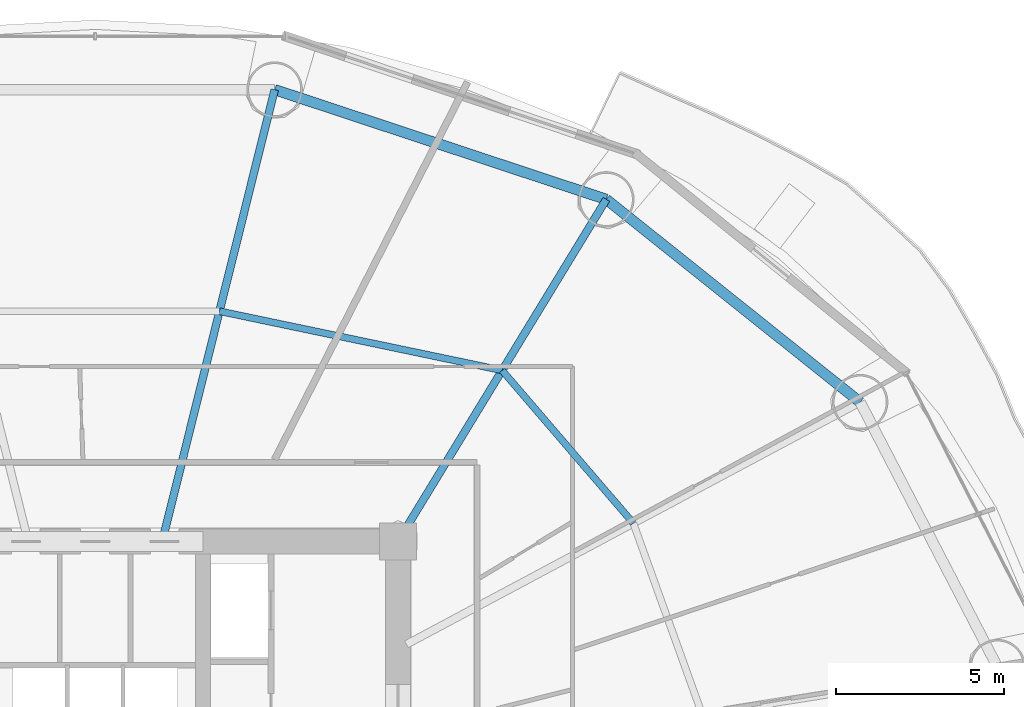
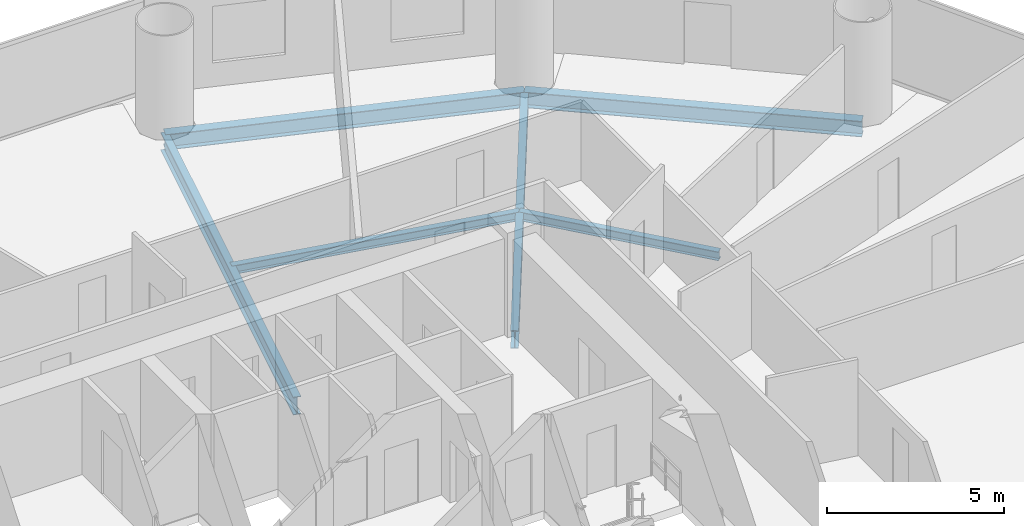
# One storey, part 18 of 29: 6 beams.
"""IFC4 building model written with IfcOpenShell, lengths in metres."""

from ifc_helpers import new_model, si_unit, direction, frame, origin, origin_2d, place, context, subcontext, project, spatial, i_section, extrude, material, material_profile, profile_set, type_object, element, save


model = new_model("IFC4")

# Units and contexts
model_context = context("Model", 3, precision=1e-05, world=origin(), true_north=direction((-0.2419218956, 0.970295726276)))
body_context = subcontext(model_context, "Body", "Model", "MODEL_VIEW")
ifc_project = project(units=[si_unit("LENGTHUNIT", "METRE"), si_unit("AREAUNIT", "SQUARE_METRE"), si_unit("VOLUMEUNIT", "CUBIC_METRE"), si_unit("PLANEANGLEUNIT", "RADIAN"), si_unit("MASSUNIT", "GRAM", prefix="KILO")], contexts=[model_context])

# Site, building, storey
site_placement = place(None, origin())
site = spatial("IfcSite", under=ifc_project, at=site_placement, CompositionType="ELEMENT")
building_placement = place(site_placement, origin())
building = spatial("IfcBuilding", under=site, at=building_placement, Name="Cobrevalo Terracotta Tower", CompositionType="ELEMENT")
storey_placement = place(building_placement, frame((0.0, 0.0, 52.800048828125)))
storey = spatial("IfcBuildingStorey", under=building, at=storey_placement, Name="L13", CompositionType="ELEMENT", Elevation=52.800048828125)

# Beams
ifc_material = material(Name="Steel S355", Category="steel")
ifc_material_profile_1 = material_profile(ifc_material, i_section(OverallWidth=0.22998046875, OverallDepth=0.616943359375, WebThickness=0.01318359375, FlangeThickness=0.022216796875, at=origin_2d()), Name="W 610x140")
ifc_profile_set_1 = profile_set([ifc_material_profile_1], Name="Steel S355")
beam_type_1 = type_object("IfcBeamType", Name="Structural Beam W 610x140 (Steel S355)", PredefinedType="BEAM", material=ifc_profile_set_1)
beam_1_placement = place(storey_placement, frame((53.19482421875, 44.967529296875, -0.588623046875), z_axis=(-0.520309892051, -0.853977526773, 0.0), x_axis=(0.853977526773, -0.520309892051, 0.0)))
element("IfcBeam", 1, at=beam_1_placement, inside=storey, type_object=beam_type_1, Name="L13 radial floor girder 03", PredefinedType="BEAM", context=body_context, shape_type="SweptSolid", body=[
    extrude(i_section(OverallWidth=0.22998046875, OverallDepth=0.616943359375, WebThickness=0.01318359375, FlangeThickness=0.022216796875, at=origin_2d()), origin(), (0.0, 0.0, 1.0), 11.906005859375),
])
beam_2_placement = place(storey_placement, frame((43.335693359375, 48.230224609375, -0.588623046875), z_axis=(-0.241596254786, -0.970376859614, 0.0), x_axis=(0.970376859614, -0.241596254786, 0.0)))
element("IfcBeam", 2, at=beam_2_placement, inside=storey, type_object=beam_type_1, Name="L13 radial floor girder 04", PredefinedType="BEAM", context=body_context, shape_type="SweptSolid", body=[
    extrude(i_section(OverallWidth=0.22998046875, OverallDepth=0.616943359375, WebThickness=0.01318359375, FlangeThickness=0.022216796875, at=origin_2d()), origin(), (0.0, 0.0, 1.0), 13.577392578125),
])
ifc_material_profile_2 = material_profile(ifc_material, i_section(OverallWidth=0.2041015625, OverallDepth=0.305908203125, WebThickness=0.008544921875, FlangeThickness=0.0146484375, at=origin_2d()), Name="W 310x67")
ifc_profile_set_2 = profile_set([ifc_material_profile_2], Name="Steel S355")
beam_type_2 = type_object("IfcBeamType", Name="Structural Joist W 310x67 (Steel S355)", PredefinedType="JOIST", material=ifc_profile_set_2)
beam_3_placement = place(storey_placement, frame((53.997802734375, 35.33984375, -0.43310546875), z_axis=(-0.651328404454, 0.758795960421, 0.0), x_axis=(-0.758795960421, -0.651328404454, 0.0)))
element("IfcBeam", 3, at=beam_3_placement, inside=storey, type_object=beam_type_2, Name="L13 circumferential secondary floor joist 02", PredefinedType="JOIST", context=body_context, shape_type="SweptSolid", body=[
    extrude(i_section(OverallWidth=0.2041015625, OverallDepth=0.305908203125, WebThickness=0.008544921875, FlangeThickness=0.0146484375, at=origin_2d()), origin(), (0.0, 0.0, 1.0), 5.98828125),
])
beam_4_placement = place(storey_placement, frame((50.097412109375, 39.8837890625, -0.43310546875), z_axis=(-0.978784523904, 0.204892302848, 0.0), x_axis=(-0.204892302848, -0.978784523904, 0.0)))
element("IfcBeam", 4, at=beam_4_placement, inside=storey, type_object=beam_type_2, Name="L13 circumferential secondary floor joist 03", PredefinedType="JOIST", context=body_context, shape_type="SweptSolid", body=[
    extrude(i_section(OverallWidth=0.2041015625, OverallDepth=0.305908203125, WebThickness=0.008544921875, FlangeThickness=0.0146484375, at=origin_2d()), origin(), (0.0, 0.0, 1.0), 8.583984375),
])
ifc_material_profile_3 = material_profile(ifc_material, i_section(OverallWidth=0.31201171875, OverallDepth=0.54296875, WebThickness=0.0126953125, FlangeThickness=0.020263671875, at=origin_2d()), Name="W 530x150")
ifc_profile_set_3 = profile_set([ifc_material_profile_3], Name="Steel S355")
beam_type_3 = type_object("IfcBeamType", Name="Structural Spandrel W 530x150 (Steel S355)", PredefinedType="SPANDREL", material=ifc_profile_set_3)
beam_5_placement = place(storey_placement, frame((60.74072265625, 38.939208984375, -0.551513671875), z_axis=(-0.781292806807, 0.62416468182, 0.0), x_axis=(-0.62416468182, -0.781292806807, 0.0)))
element("IfcBeam", 5, at=beam_5_placement, inside=storey, type_object=beam_type_3, Name="L13 perimeter ring spandrel 02", PredefinedType="SPANDREL", context=body_context, shape_type="SweptSolid", body=[
    extrude(i_section(OverallWidth=0.31201171875, OverallDepth=0.54296875, WebThickness=0.0126953125, FlangeThickness=0.020263671875, at=origin_2d()), origin(), (0.0, 0.0, 1.0), 9.658203125),
])
beam_6_placement = place(storey_placement, frame((53.19482421875, 44.967529296875, -0.551513671875), z_axis=(-0.949365190876, 0.314174687638, 0.0), x_axis=(-0.314174687638, -0.949365190876, 0.0)))
element("IfcBeam", 6, at=beam_6_placement, inside=storey, type_object=beam_type_3, Name="L13 perimeter ring spandrel 03", PredefinedType="SPANDREL", context=body_context, shape_type="SweptSolid", body=[
    extrude(i_section(OverallWidth=0.31201171875, OverallDepth=0.54296875, WebThickness=0.0126953125, FlangeThickness=0.020263671875, at=origin_2d()), origin(), (0.0, 0.0, 1.0), 10.385009765625),
])

save(model, "model.ifc")
